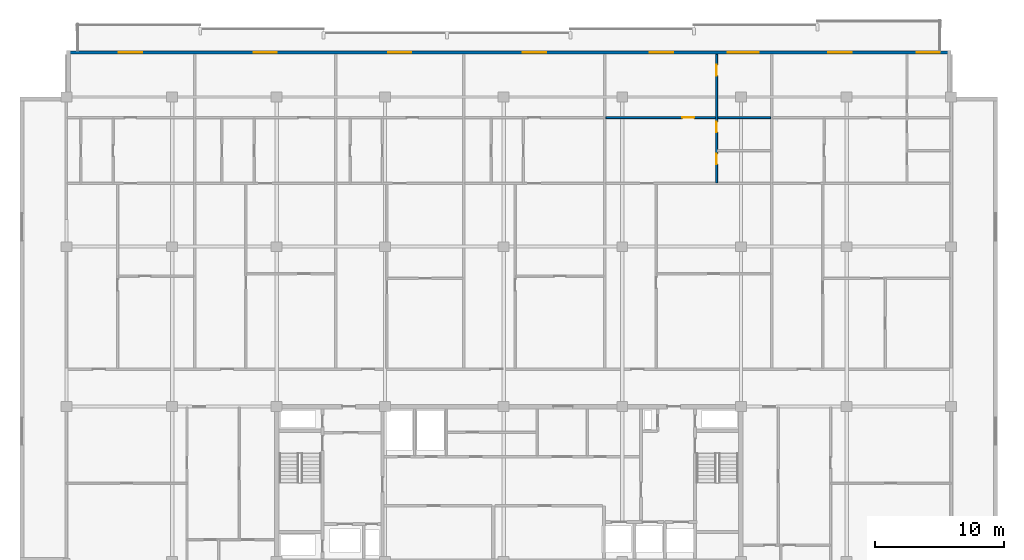
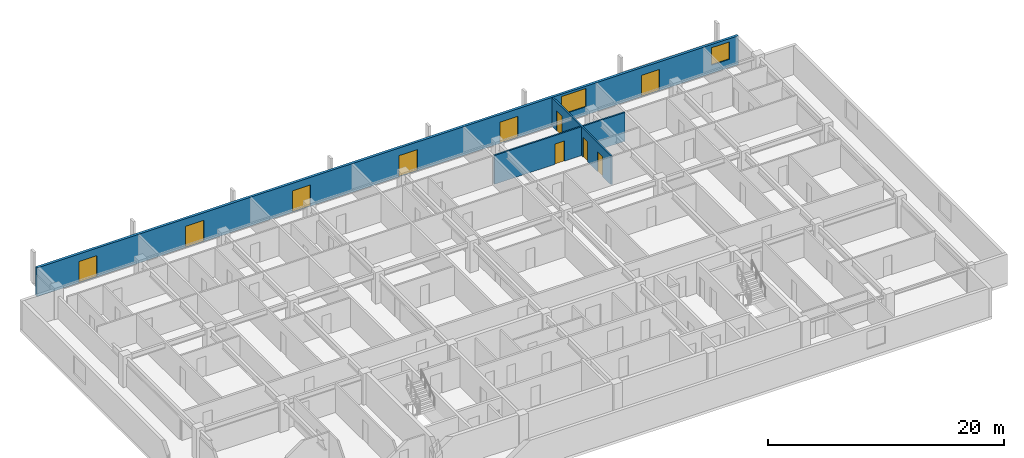
# One storey, part 12 of 17: 10 doors, 3 walls, 2 windows, 12 openings.
"""IFC4 building model written with IfcOpenShell, lengths in metres."""

from ifc_helpers import new_model, si_unit, direction, frame, frame_2d, origin, place, context, subcontext, project, spatial, rectangle, extrude, material, layer, layer_set, type_object, element, fill, save


model = new_model("IFC4")

# Units and contexts
model_context = context("Model", 3, precision=1e-05, world=origin(), true_north=direction((0.0, 1.0)))
body_context = subcontext(model_context, "Body", "Model", "MODEL_VIEW")
ifc_project = project(units=[si_unit("LENGTHUNIT", "METRE"), si_unit("AREAUNIT", "SQUARE_METRE"), si_unit("VOLUMEUNIT", "CUBIC_METRE"), si_unit("PLANEANGLEUNIT", "RADIAN"), si_unit("MASSUNIT", "GRAM", prefix="KILO")], contexts=[model_context])

# Site, building, storey
site_placement = place(None, origin())
site = spatial("IfcSite", under=ifc_project, at=site_placement, CompositionType="ELEMENT")
building_placement = place(site_placement, origin())
building = spatial("IfcBuilding", under=site, at=building_placement, Name="Korimba Cascade Residences", CompositionType="ELEMENT")
storey_placement = place(building_placement, frame((0.0, 0.0, 204.35009765625)))
storey = spatial("IfcBuildingStorey", under=building, at=storey_placement, Name="L59", CompositionType="ELEMENT", Elevation=204.35009765625)

# Wall, openings, doors, windows
ifc_material_1 = material(Name="Precast concrete C40/50", Category="concrete")
ifc_layer_1 = layer(ifc_material_1, 0.25)
ifc_layer_set_1 = layer_set([ifc_layer_1], Name="Precast concrete C40/50")
wall_type_1 = type_object("IfcWallType", Name="EW-LOG-250", PredefinedType="STANDARD", material=ifc_layer_set_1)
wall_1_placement = place(storey_placement, frame((128.39990234375, 94.64990234375, 0.0), z_axis=(0.0, 0.0, 1.0), x_axis=(-1.0, 0.0, 0.0)))
wall_1 = element("IfcWall", 1, at=wall_1_placement, inside=storey, type_object=wall_type_1, Name="L59 T1 Perimeter Stone Wall E06", PredefinedType="STANDARD", context=body_context, shape_type="SweptSolid", body=[
    extrude(rectangle(XDim=68.599853515625, YDim=0.25, at=frame_2d((34.2998046875, 0.0))), origin(), (0.0, 0.0, 1.0), 2.97998046875),
])
opening_1_placement = place(wall_1_placement, frame((62.72900390625, 0.0, 0.0)))
opening_1 = element("IfcOpeningElement", 2, at=opening_1_placement, cuts=wall_1, Name="Opening D-LG1", PredefinedType="OPENING", context=body_context, shape_type="SweptSolid", body=[
    extrude(rectangle(XDim=1.800048828125, YDim=2.199951171875, at=frame_2d((0.89990234375, 1.10009765625))), frame((0.0, 0.135009765625, 0.0), z_axis=(0.0, -1.0, 0.0), x_axis=(1.0, 0.0, 0.0)), (0.0, 0.0, 1.0), 0.27001953125),
])
opening_2_placement = place(wall_1_placement, frame((52.289794921875, 0.0, 0.0)))
opening_2 = element("IfcOpeningElement", 3, at=opening_2_placement, cuts=wall_1, Name="Opening D-LG1", PredefinedType="OPENING", context=body_context, shape_type="SweptSolid", body=[
    extrude(rectangle(XDim=1.800048828125, YDim=2.199951171875, at=frame_2d((0.89990234375, 1.10009765625))), frame((0.0, 0.135009765625, 0.0), z_axis=(0.0, -1.0, 0.0), x_axis=(1.0, 0.0, 0.0)), (0.0, 0.0, 1.0), 0.27001953125),
])
opening_3_placement = place(wall_1_placement, frame((41.850830078125, 0.0, 0.0)))
opening_3 = element("IfcOpeningElement", 4, at=opening_3_placement, cuts=wall_1, Name="Opening D-LG1", PredefinedType="OPENING", context=body_context, shape_type="SweptSolid", body=[
    extrude(rectangle(XDim=1.800048828125, YDim=2.199951171875, at=frame_2d((0.89990234375, 1.10009765625))), frame((0.0, 0.135009765625, 0.0), z_axis=(0.0, -1.0, 0.0), x_axis=(1.0, 0.0, 0.0)), (0.0, 0.0, 1.0), 0.27001953125),
])
opening_4_placement = place(wall_1_placement, frame((31.41162109375, 0.0, 0.0)))
opening_4 = element("IfcOpeningElement", 5, at=opening_4_placement, cuts=wall_1, Name="Opening D-LG1", PredefinedType="OPENING", context=body_context, shape_type="SweptSolid", body=[
    extrude(rectangle(XDim=1.800048828125, YDim=2.199951171875, at=frame_2d((0.89990234375, 1.10009765625))), frame((0.0, 0.135009765625, 0.0), z_axis=(0.0, -1.0, 0.0), x_axis=(1.0, 0.0, 0.0)), (0.0, 0.0, 1.0), 0.27001953125),
])
opening_5_placement = place(wall_1_placement, frame((21.5517578125, 0.0, 0.0)))
opening_5 = element("IfcOpeningElement", 6, at=opening_5_placement, cuts=wall_1, Name="Opening D-LG1", PredefinedType="OPENING", context=body_context, shape_type="SweptSolid", body=[
    extrude(rectangle(XDim=1.800048828125, YDim=2.199951171875, at=frame_2d((0.89990234375, 1.10009765625))), frame((0.0, 0.135009765625, 0.0), z_axis=(0.0, -1.0, 0.0), x_axis=(1.0, 0.0, 0.0)), (0.0, 0.0, 1.0), 0.27001953125),
])
opening_6_placement = place(wall_1_placement, frame((14.909423828125, 0.0, 0.85009765625)))
opening_6 = element("IfcOpeningElement", 7, at=opening_6_placement, cuts=wall_1, Name="Opening W-01", PredefinedType="OPENING", context=body_context, shape_type="SweptSolid", body=[
    extrude(rectangle(XDim=2.39990234375, YDim=1.89990234375, at=frame_2d((1.199951171875, 0.949951171875))), frame((0.0, 0.135009765625, 0.0), z_axis=(0.0, -1.0, 0.0), x_axis=(1.0, 0.0, 0.0)), (0.0, 0.0, 1.0), 0.27001953125),
])
opening_7_placement = place(wall_1_placement, frame((7.70947265625, 0.0, 0.0)))
opening_7 = element("IfcOpeningElement", 8, at=opening_7_placement, cuts=wall_1, Name="Opening D-LG1", PredefinedType="OPENING", context=body_context, shape_type="SweptSolid", body=[
    extrude(rectangle(XDim=1.800048828125, YDim=2.199951171875, at=frame_2d((0.89990234375, 1.10009765625))), frame((0.0, 0.135009765625, 0.0), z_axis=(0.0, -1.0, 0.0), x_axis=(1.0, 0.0, 0.0)), (0.0, 0.0, 1.0), 0.27001953125),
])
opening_8_placement = place(wall_1_placement, frame((0.8701171875, 0.0, 0.85009765625)))
opening_8 = element("IfcOpeningElement", 9, at=opening_8_placement, cuts=wall_1, Name="Opening W-02", PredefinedType="OPENING", context=body_context, shape_type="SweptSolid", body=[
    extrude(rectangle(XDim=1.800048828125, YDim=1.800048828125, at=frame_2d((0.89990234375, 0.89990234375))), frame((0.0, 0.135009765625, 0.0), z_axis=(0.0, -1.0, 0.0), x_axis=(1.0, 0.0, 0.0)), (0.0, 0.0, 1.0), 0.27001953125),
])
ifc_material_2 = material(Name="Glazed Aluminium Loggia Sliding Door", Category="aluminium")
door_type_1 = type_object("IfcDoorType", Name="DR-EXT-LOG", OperationType="NOTDEFINED", PredefinedType="DOOR", material=ifc_material_2)
door_1_placement = place(opening_1_placement, origin())
door_1 = element("IfcDoor", 10, at=door_1_placement, inside=storey, type_object=door_type_1, Name="L59 T1 Loggia Sliding Door 3", OperationType="SLIDING_TO_LEFT", OverallHeight=2.199951171875, OverallWidth=1.800048828125, PredefinedType="DOOR", context=body_context, shape_type="SweptSolid", body=[
    extrude(rectangle(XDim=1.800048828125, YDim=2.199951171875, at=frame_2d((0.89990234375, 1.10009765625))), frame((0.0, 0.02490234375, 0.0), z_axis=(0.0, -1.0, 0.0), x_axis=(1.0, 0.0, 0.0)), (0.0, 0.0, 1.0), 0.050048828125),
])
fill(opening_1, door_1)
door_2_placement = place(opening_2_placement, origin())
door_2 = element("IfcDoor", 11, at=door_2_placement, inside=storey, type_object=door_type_1, Name="L59 T1 Loggia Sliding Door 4", OperationType="SLIDING_TO_LEFT", OverallHeight=2.199951171875, OverallWidth=1.800048828125, PredefinedType="DOOR", context=body_context, shape_type="SweptSolid", body=[
    extrude(rectangle(XDim=1.800048828125, YDim=2.199951171875, at=frame_2d((0.89990234375, 1.10009765625))), frame((0.0, 0.02490234375, 0.0), z_axis=(0.0, -1.0, 0.0), x_axis=(1.0, 0.0, 0.0)), (0.0, 0.0, 1.0), 0.050048828125),
])
fill(opening_2, door_2)
door_3_placement = place(opening_3_placement, origin())
door_3 = element("IfcDoor", 12, at=door_3_placement, inside=storey, type_object=door_type_1, Name="L59 T1 Loggia Sliding Door 5", OperationType="SLIDING_TO_LEFT", OverallHeight=2.199951171875, OverallWidth=1.800048828125, PredefinedType="DOOR", context=body_context, shape_type="SweptSolid", body=[
    extrude(rectangle(XDim=1.800048828125, YDim=2.199951171875, at=frame_2d((0.89990234375, 1.10009765625))), frame((0.0, 0.02490234375, 0.0), z_axis=(0.0, -1.0, 0.0), x_axis=(1.0, 0.0, 0.0)), (0.0, 0.0, 1.0), 0.050048828125),
])
fill(opening_3, door_3)
door_4_placement = place(opening_4_placement, origin())
door_4 = element("IfcDoor", 13, at=door_4_placement, inside=storey, type_object=door_type_1, Name="L59 T1 Loggia Sliding Door 6", OperationType="SLIDING_TO_LEFT", OverallHeight=2.199951171875, OverallWidth=1.800048828125, PredefinedType="DOOR", context=body_context, shape_type="SweptSolid", body=[
    extrude(rectangle(XDim=1.800048828125, YDim=2.199951171875, at=frame_2d((0.89990234375, 1.10009765625))), frame((0.0, 0.02490234375, 0.0), z_axis=(0.0, -1.0, 0.0), x_axis=(1.0, 0.0, 0.0)), (0.0, 0.0, 1.0), 0.050048828125),
])
fill(opening_4, door_4)
door_5_placement = place(opening_5_placement, origin())
door_5 = element("IfcDoor", 14, at=door_5_placement, inside=storey, type_object=door_type_1, Name="L59 T1 Loggia Sliding Door 7", OperationType="SLIDING_TO_LEFT", OverallHeight=2.199951171875, OverallWidth=1.800048828125, PredefinedType="DOOR", context=body_context, shape_type="SweptSolid", body=[
    extrude(rectangle(XDim=1.800048828125, YDim=2.199951171875, at=frame_2d((0.89990234375, 1.10009765625))), frame((0.0, 0.02490234375, 0.0), z_axis=(0.0, -1.0, 0.0), x_axis=(1.0, 0.0, 0.0)), (0.0, 0.0, 1.0), 0.050048828125),
])
fill(opening_5, door_5)
door_6_placement = place(opening_7_placement, origin())
door_6 = element("IfcDoor", 15, at=door_6_placement, inside=storey, type_object=door_type_1, Name="L59 T1 Loggia Sliding Door 9", OperationType="SLIDING_TO_LEFT", OverallHeight=2.199951171875, OverallWidth=1.800048828125, PredefinedType="DOOR", context=body_context, shape_type="SweptSolid", body=[
    extrude(rectangle(XDim=1.800048828125, YDim=2.199951171875, at=frame_2d((0.89990234375, 1.10009765625))), frame((0.0, 0.02490234375, 0.0), z_axis=(0.0, -1.0, 0.0), x_axis=(1.0, 0.0, 0.0)), (0.0, 0.0, 1.0), 0.050048828125),
])
fill(opening_7, door_6)
ifc_material_3 = material(Name="Double-Glazed Aluminium Window", Category="aluminium")
window_type_1 = type_object("IfcWindowType", Name="WIN-BED-1800", PartitioningType="SINGLE_PANEL", PredefinedType="WINDOW", material=ifc_material_3)
window_1_placement = place(opening_8_placement, origin())
window_1 = element("IfcWindow", 16, at=window_1_placement, inside=storey, type_object=window_type_1, Name="L59 T1 North Facade Window 10", OverallHeight=1.800048828125, OverallWidth=1.800048828125, PartitioningType="SINGLE_PANEL", PredefinedType="WINDOW", context=body_context, shape_type="SweptSolid", body=[
    extrude(rectangle(XDim=1.800048828125, YDim=1.800048828125, at=frame_2d((0.89990234375, 0.89990234375))), frame((0.0, 0.030029296875, 0.0), z_axis=(0.0, -1.0, 0.0), x_axis=(1.0, 0.0, 0.0)), (0.0, 0.0, 1.0), 0.06005859375),
])
fill(opening_8, window_1)
window_type_2 = type_object("IfcWindowType", Name="WIN-RES-2400", PartitioningType="DOUBLE_PANEL_VERTICAL", PredefinedType="WINDOW", material=ifc_material_3)
window_2_placement = place(opening_6_placement, origin())
window_2 = element("IfcWindow", 17, at=window_2_placement, inside=storey, type_object=window_type_2, Name="L59 T1 North Facade Window 8", OverallHeight=1.89990234375, OverallWidth=2.39990234375, PartitioningType="DOUBLE_PANEL_VERTICAL", PredefinedType="WINDOW", context=body_context, shape_type="SweptSolid", body=[
    extrude(rectangle(XDim=2.39990234375, YDim=1.89990234375, at=frame_2d((1.199951171875, 0.949951171875))), frame((0.0, 0.030029296875, 0.0), z_axis=(0.0, -1.0, 0.0), x_axis=(1.0, 0.0, 0.0)), (0.0, 0.0, 1.0), 0.06005859375),
])
fill(opening_6, window_2)

# Wall, openings, doors
ifc_material_4 = material(Name="Insulated Acoustic Stud Partition", Category="gypsum")
ifc_layer_2 = layer(ifc_material_4, 0.14990234375)
ifc_layer_set_2 = layer_set([ifc_layer_2], Name="Insulated Acoustic Stud Partition")
wall_type_2 = type_object("IfcWallType", Name="WAL-PART-150", PredefinedType="PARTITIONING", material=ifc_layer_set_2)
wall_2_placement = place(storey_placement, frame((110.219970703125, 84.5400390625, 0.0), z_axis=(0.0, 0.0, 1.0), x_axis=(0.0, 1.0, 0.0)))
wall_2 = element("IfcWall", 18, at=wall_2_placement, inside=storey, type_object=wall_type_2, Name="L59 Partition Wall WAL-L59-T1-U05-V1", PredefinedType="PARTITIONING", context=body_context, shape_type="SweptSolid", body=[
    extrude(rectangle(XDim=9.9599609375, YDim=0.14990234375, at=frame_2d((4.97998046875, 0.0))), origin(), (0.0, 0.0, 1.0), 2.97998046875),
])
opening_9_placement = place(wall_2_placement, frame((1.430419921875, 0.0, 0.0)))
opening_9 = element("IfcOpeningElement", 19, at=opening_9_placement, cuts=wall_2, Name="Opening D-BT1", PredefinedType="OPENING", context=body_context, shape_type="SweptSolid", body=[
    extrude(rectangle(XDim=0.840087890625, YDim=2.0400390625, at=frame_2d((0.419921875, 1.02001953125))), frame((0.0, 0.0849609375, 0.0), z_axis=(0.0, -1.0, 0.0), x_axis=(1.0, 0.0, 0.0)), (0.0, 0.0, 1.0), 0.169921875),
])
opening_10_placement = place(wall_2_placement, frame((3.919921875, 0.0, 0.0)))
opening_10 = element("IfcOpeningElement", 20, at=opening_10_placement, cuts=wall_2, Name="Opening D-BT1", PredefinedType="OPENING", context=body_context, shape_type="SweptSolid", body=[
    extrude(rectangle(XDim=0.840087890625, YDim=2.0400390625, at=frame_2d((0.419921875, 1.02001953125))), frame((0.0, 0.0849609375, 0.0), z_axis=(0.0, -1.0, 0.0), x_axis=(1.0, 0.0, 0.0)), (0.0, 0.0, 1.0), 0.169921875),
])
opening_11_placement = place(wall_2_placement, frame((8.297119140625, 0.0, 0.0)))
opening_11 = element("IfcOpeningElement", 21, at=opening_11_placement, cuts=wall_2, Name="Opening D-IN2", PredefinedType="OPENING", context=body_context, shape_type="SweptSolid", body=[
    extrude(rectangle(XDim=0.8798828125, YDim=2.06005859375, at=frame_2d((0.43994140625, 1.030029296875))), frame((0.0, 0.0849609375, 0.0), z_axis=(0.0, -1.0, 0.0), x_axis=(1.0, 0.0, 0.0)), (0.0, 0.0, 1.0), 0.169921875),
])
ifc_material_5 = material(Name="Moisture-Resistant Bathroom Timber Door", Category="wood")
door_type_2 = type_object("IfcDoorType", Name="DR-INT-850", OperationType="NOTDEFINED", PredefinedType="DOOR", material=ifc_material_5)
door_7_placement = place(opening_9_placement, origin())
door_7 = element("IfcDoor", 22, at=door_7_placement, inside=storey, type_object=door_type_2, Name="L59-T1-U05 Bathroom Door", OperationType="SINGLE_SWING_LEFT", OverallHeight=2.0400390625, OverallWidth=0.840087890625, PredefinedType="DOOR", context=body_context, shape_type="SweptSolid", body=[
    extrude(rectangle(XDim=0.840087890625, YDim=2.0400390625, at=frame_2d((0.419921875, 1.02001953125))), frame((0.0, 0.02490234375, 0.0), z_axis=(0.0, -1.0, 0.0), x_axis=(1.0, 0.0, 0.0)), (0.0, 0.0, 1.0), 0.050048828125),
])
fill(opening_9, door_7)
door_8_placement = place(opening_10_placement, origin())
door_8 = element("IfcDoor", 23, at=door_8_placement, inside=storey, type_object=door_type_2, Name="L59-T1-U05 Laundry Door", OperationType="SINGLE_SWING_RIGHT", OverallHeight=2.0400390625, OverallWidth=0.840087890625, PredefinedType="DOOR", context=body_context, shape_type="SweptSolid", body=[
    extrude(rectangle(XDim=0.840087890625, YDim=2.0400390625, at=frame_2d((0.419921875, 1.02001953125))), frame((0.0, 0.02490234375, 0.0), z_axis=(0.0, -1.0, 0.0), x_axis=(1.0, 0.0, 0.0)), (0.0, 0.0, 1.0), 0.050048828125),
])
fill(opening_10, door_8)
ifc_material_6 = material(Name="Acoustic Timber Bedroom Door", Category="wood")
door_type_3 = type_object("IfcDoorType", Name="DR-INT-880", OperationType="NOTDEFINED", PredefinedType="DOOR", material=ifc_material_6)
door_9_placement = place(opening_11_placement, origin())
door_9 = element("IfcDoor", 24, at=door_9_placement, inside=storey, type_object=door_type_3, Name="L59-T1-U05 Bedroom 1 Door", OperationType="SINGLE_SWING_LEFT", OverallHeight=2.06005859375, OverallWidth=0.8798828125, PredefinedType="DOOR", context=body_context, shape_type="SweptSolid", body=[
    extrude(rectangle(XDim=0.8798828125, YDim=2.06005859375, at=frame_2d((0.43994140625, 1.030029296875))), frame((0.0, 0.02490234375, 0.0), z_axis=(0.0, -1.0, 0.0), x_axis=(1.0, 0.0, 0.0)), (0.0, 0.0, 1.0), 0.050048828125),
])
fill(opening_11, door_9)

# Wall, opening, door
wall_3_placement = place(storey_placement, frame((101.636474609375, 89.60009765625, 0.0), z_axis=(0.0, 0.0, 1.0), x_axis=(1.0, 0.0, 0.0)))
wall_3 = element("IfcWall", 25, at=wall_3_placement, inside=storey, type_object=wall_type_2, Name="L59 Partition Wall WAL-L59-T1-U05-HZ", PredefinedType="PARTITIONING", context=body_context, shape_type="SweptSolid", body=[
    extrude(rectangle(XDim=12.764404296875, YDim=0.14990234375, at=frame_2d((6.38232421875, 0.0))), origin(), (0.0, 0.0, 1.0), 2.97998046875),
])
opening_12_placement = place(wall_3_placement, frame((5.912353515625, 0.0, 0.0)))
opening_12 = element("IfcOpeningElement", 26, at=opening_12_placement, cuts=wall_3, Name="Opening D-IN0", PredefinedType="OPENING", context=body_context, shape_type="SweptSolid", body=[
    extrude(rectangle(XDim=0.93994140625, YDim=2.10009765625, at=frame_2d((0.469970703125, 1.050048828125))), frame((0.0, 0.0849609375, 0.0), z_axis=(0.0, -1.0, 0.0), x_axis=(1.0, 0.0, 0.0)), (0.0, 0.0, 1.0), 0.169921875),
])
ifc_material_7 = material(Name="Acoustic Timber Living Archway Door", Category="wood")
door_type_4 = type_object("IfcDoorType", Name="DR-INT-950", OperationType="NOTDEFINED", PredefinedType="DOOR", material=ifc_material_7)
door_10_placement = place(opening_12_placement, origin())
door_10 = element("IfcDoor", 27, at=door_10_placement, inside=storey, type_object=door_type_4, Name="L59-T1-U05 Living Archway Door", OperationType="SINGLE_SWING_LEFT", OverallHeight=2.10009765625, OverallWidth=0.93994140625, PredefinedType="DOOR", context=body_context, shape_type="SweptSolid", body=[
    extrude(rectangle(XDim=0.93994140625, YDim=2.10009765625, at=frame_2d((0.469970703125, 1.050048828125))), frame((0.0, 0.02490234375, 0.0), z_axis=(0.0, -1.0, 0.0), x_axis=(1.0, 0.0, 0.0)), (0.0, 0.0, 1.0), 0.050048828125),
])
fill(opening_12, door_10)

save(model, "model.ifc")
